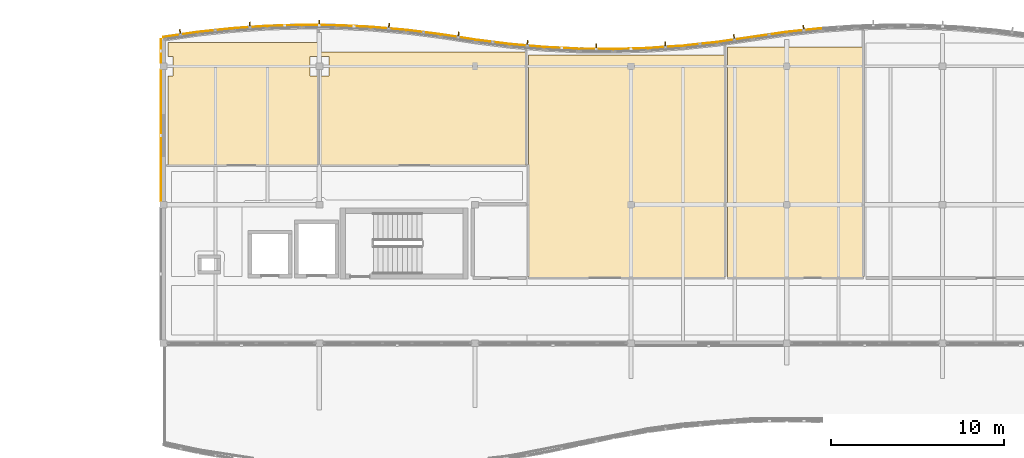
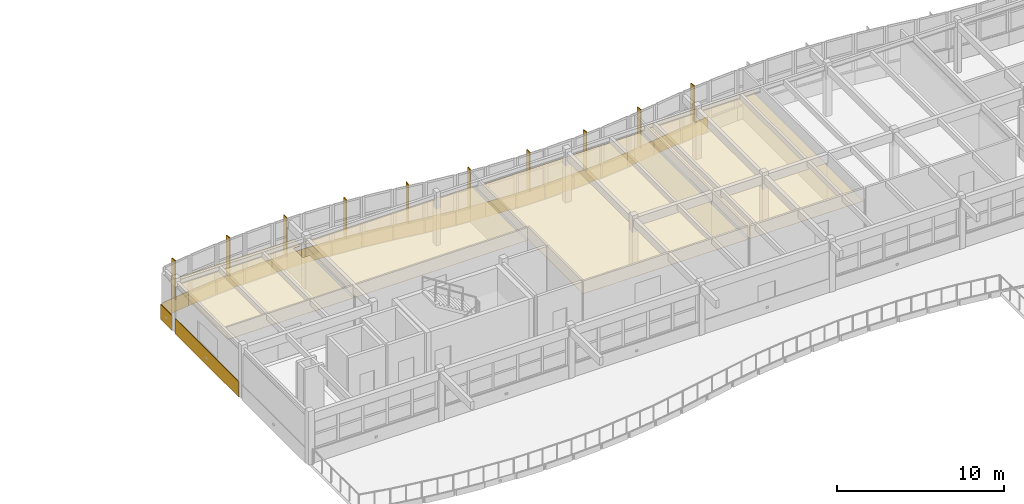
# One storey, part 50 of 52: 25 coverings, 10 shading devices.
"""IFC4 building model written with IfcOpenShell, lengths in metres."""

from ifc_helpers import new_model, si_unit, direction, frame, origin, origin_2d, place, context, subcontext, project, spatial, polyline, rectangle, outline, extrude, material, layer, layer_set, type_object, element, save


model = new_model("IFC4")

# Units and contexts
model_context = context("Model", 3, precision=1e-05, world=origin(), true_north=direction((0.0, 1.0)))
body_context = subcontext(model_context, "Body", "Model", "MODEL_VIEW")
ifc_project = project(units=[si_unit("LENGTHUNIT", "METRE"), si_unit("AREAUNIT", "SQUARE_METRE"), si_unit("VOLUMEUNIT", "CUBIC_METRE"), si_unit("PLANEANGLEUNIT", "RADIAN"), si_unit("MASSUNIT", "GRAM", prefix="KILO")], contexts=[model_context])

# Site, building, storey
site_placement = place(None, origin())
site = spatial("IfcSite", under=ifc_project, at=site_placement, CompositionType="ELEMENT")
building_placement = place(site_placement, origin())
building = spatial("IfcBuilding", under=site, at=building_placement, Name="Tonlespit Floodbar School", CompositionType="ELEMENT")
storey_placement = place(building_placement, frame((0.0, 0.0, 12.300048828125)))
storey = spatial("IfcBuildingStorey", under=building, at=storey_placement, Name="L03", CompositionType="ELEMENT", Elevation=12.300048828125)

# Coverings
ifc_material_1 = material(Name="Acoustic Mineral Tile")
ifc_layer_1 = layer(ifc_material_1, 0.02001953125)
ifc_layer_set_1 = layer_set([ifc_layer_1], Name="Acoustic Mineral Tile")
covering_type_1 = type_object("IfcCoveringType", Name="Ceiling_Acoustic_20", PredefinedType="CEILING", material=ifc_layer_set_1)
covering_1_placement = place(storey_placement, frame((0.0, 0.0, 2.64990234375)))
element("IfcCovering", 1, at=covering_1_placement, inside=storey, type_object=covering_type_1, Name="L03 Middle School Classroom 301 acoustic ceiling", PredefinedType="CEILING", context=body_context, shape_type="SweptSolid", body=[
    extrude(outline(polyline([(44.27001953125, 120.550048828125), (44.27001953125, 121.372802734375), (52.929931640625, 121.372802734375), (52.929931640625, 120.550048828125), (52.449951171875, 120.550048828125), (52.449951171875, 119.449951171875), (52.929931640625, 119.449951171875), (52.929931640625, 114.27001953125), (44.27001953125, 114.27001953125), (44.27001953125, 119.449951171875), (44.550048828125, 119.449951171875), (44.550048828125, 120.550048828125), (44.27001953125, 120.550048828125)])), origin(), (0.0, 0.0, 1.0), 0.02001953125),
])
covering_2_placement = place(storey_placement, frame((0.0, 0.0, 2.64990234375)))
element("IfcCovering", 2, at=covering_2_placement, inside=storey, type_object=covering_type_1, Name="L03 Middle School Classroom 302 acoustic ceiling", PredefinedType="CEILING", context=body_context, shape_type="SweptSolid", body=[
    extrude(outline(polyline([(64.929931640625, 114.27001953125), (53.070068359375, 114.27001953125), (53.070068359375, 119.449951171875), (53.550048828125, 119.449951171875), (53.550048828125, 120.550048828125), (53.070068359375, 120.550048828125), (53.070068359375, 120.835693359375), (64.929931640625, 120.835693359375), (64.929931640625, 114.27001953125)])), origin(), (0.0, 0.0, 1.0), 0.02001953125),
])
covering_3_placement = place(storey_placement, frame((0.0, 0.0, 2.64990234375)))
element("IfcCovering", 3, at=covering_3_placement, inside=storey, type_object=covering_type_1, Name="L03 History and Geography Classroom acoustic ceiling", PredefinedType="CEILING", context=body_context, shape_type="SweptSolid", body=[
    extrude(outline(polyline([(76.429931640625, 107.77001953125), (65.070068359375, 107.77001953125), (65.070068359375, 120.640869140625), (76.429931640625, 120.640869140625), (76.429931640625, 107.77001953125)])), origin(), (0.0, 0.0, 1.0), 0.02001953125),
])
covering_4_placement = place(storey_placement, frame((0.0, 0.0, 2.64990234375)))
element("IfcCovering", 4, at=covering_4_placement, inside=storey, type_object=covering_type_1, Name="L03 Civics Debate Seminar Room acoustic ceiling", PredefinedType="CEILING", context=body_context, shape_type="SweptSolid", body=[
    extrude(outline(polyline([(84.429931640625, 107.77001953125), (76.570068359375, 107.77001953125), (76.570068359375, 121.114013671875), (84.429931640625, 121.114013671875), (84.429931640625, 107.77001953125)])), origin(), (0.0, 0.0, 1.0), 0.02001953125),
])
ifc_material_2 = material(Name="White Architectural Aluminium", Category="aluminium")
ifc_layer_2 = layer(ifc_material_2, 0.050048828125)
ifc_layer_set_2 = layer_set([ifc_layer_2], Name="White Architectural Aluminium")
covering_type_2 = type_object("IfcCoveringType", Name="Cladding_WhiteBand_50", PredefinedType="CLADDING", material=ifc_layer_set_2)
covering_5_placement = place(storey_placement, frame((0.0, 0.0, -0.1201171875)))
element("IfcCovering", 5, at=covering_5_placement, inside=storey, type_object=covering_type_2, Name="L03 curved white spandrel cladding 0214", PredefinedType="CLADDING", context=body_context, shape_type="SweptSolid", body=[
    extrude(outline(polyline([(43.985595703125, 121.64892578125), (45.985595703125, 121.940673828125), (45.978515625, 121.989990234375), (43.978515625, 121.698486328125), (43.985595703125, 121.64892578125)])), origin(), (0.0, 0.0, 1.0), 1.070068359375),
])
covering_6_placement = place(storey_placement, frame((0.0, 0.0, -0.1201171875)))
element("IfcCovering", 6, at=covering_6_placement, inside=storey, type_object=covering_type_2, Name="L03 curved white spandrel cladding 0215", PredefinedType="CLADDING", context=body_context, shape_type="SweptSolid", body=[
    extrude(outline(polyline([(45.989501953125, 121.94091796875), (47.989501953125, 122.15380859375), (47.984130859375, 122.203369140625), (45.984130859375, 121.99072265625), (45.989501953125, 121.94091796875)])), origin(), (0.0, 0.0, 1.0), 1.070068359375),
])
covering_7_placement = place(storey_placement, frame((0.0, 0.0, -0.1201171875)))
element("IfcCovering", 7, at=covering_7_placement, inside=storey, type_object=covering_type_2, Name="L03 curved white spandrel cladding 0216", PredefinedType="CLADDING", context=body_context, shape_type="SweptSolid", body=[
    extrude(outline(polyline([(47.993408203125, 122.154052734375), (49.993408203125, 122.2890625), (49.989990234375, 122.339111328125), (47.989990234375, 122.2041015625), (47.993408203125, 122.154052734375)])), origin(), (0.0, 0.0, 1.0), 1.070068359375),
])
covering_8_placement = place(storey_placement, frame((0.0, 0.0, -0.1201171875)))
element("IfcCovering", 8, at=covering_8_placement, inside=storey, type_object=covering_type_2, Name="L03 curved white spandrel cladding 0217", PredefinedType="CLADDING", context=body_context, shape_type="SweptSolid", body=[
    extrude(outline(polyline([(49.9970703125, 122.289306640625), (51.9970703125, 122.346923828125), (51.99560546875, 122.39697265625), (49.99560546875, 122.33935546875), (49.9970703125, 122.289306640625)])), origin(), (0.0, 0.0, 1.0), 1.070068359375),
])
covering_9_placement = place(storey_placement, frame((0.0, 0.0, -0.1201171875)))
element("IfcCovering", 9, at=covering_9_placement, inside=storey, type_object=covering_type_2, Name="L03 curved white spandrel cladding 0218", PredefinedType="CLADDING", context=body_context, shape_type="SweptSolid", body=[
    extrude(outline(polyline([(52.0009765625, 122.346923828125), (54.0009765625, 122.327880859375), (54.00146484375, 122.377685546875), (52.00146484375, 122.39697265625), (52.0009765625, 122.346923828125)])), origin(), (0.0, 0.0, 1.0), 1.070068359375),
])
covering_10_placement = place(storey_placement, frame((0.0, 0.0, -0.1201171875)))
element("IfcCovering", 10, at=covering_10_placement, inside=storey, type_object=covering_type_2, Name="L03 curved white spandrel cladding 0219", PredefinedType="CLADDING", context=body_context, shape_type="SweptSolid", body=[
    extrude(outline(polyline([(54.0048828125, 122.32763671875), (56.0048828125, 122.2314453125), (56.007080078125, 122.28125), (54.007080078125, 122.377685546875), (54.0048828125, 122.32763671875)])), origin(), (0.0, 0.0, 1.0), 1.070068359375),
])
covering_11_placement = place(storey_placement, frame((0.0, 0.0, -0.1201171875)))
element("IfcCovering", 11, at=covering_11_placement, inside=storey, type_object=covering_type_2, Name="L03 curved white spandrel cladding 0220", PredefinedType="CLADDING", context=body_context, shape_type="SweptSolid", body=[
    extrude(outline(polyline([(56.0087890625, 122.231201171875), (58.0087890625, 122.057373046875), (58.012939453125, 122.107177734375), (56.012939453125, 122.281005859375), (56.0087890625, 122.231201171875)])), origin(), (0.0, 0.0, 1.0), 1.070068359375),
])
covering_12_placement = place(storey_placement, frame((0.0, 0.0, -0.1201171875)))
element("IfcCovering", 12, at=covering_12_placement, inside=storey, type_object=covering_type_2, Name="L03 curved white spandrel cladding 0221", PredefinedType="CLADDING", context=body_context, shape_type="SweptSolid", body=[
    extrude(outline(polyline([(58.012451171875, 122.056884765625), (60.012451171875, 121.804931640625), (60.018798828125, 121.8544921875), (58.018798828125, 122.1064453125), (58.012451171875, 122.056884765625)])), origin(), (0.0, 0.0, 1.0), 1.070068359375),
])
covering_13_placement = place(storey_placement, frame((0.0, 0.0, -0.1201171875)))
element("IfcCovering", 13, at=covering_13_placement, inside=storey, type_object=covering_type_2, Name="L03 curved white spandrel cladding 0222", PredefinedType="CLADDING", context=body_context, shape_type="SweptSolid", body=[
    extrude(outline(polyline([(60.015380859375, 121.804443359375), (62.015380859375, 121.4931640625), (62.023193359375, 121.54248046875), (60.023193359375, 121.85400390625), (60.015380859375, 121.804443359375)])), origin(), (0.0, 0.0, 1.0), 1.070068359375),
])
covering_14_placement = place(storey_placement, frame((0.0, 0.0, -0.1201171875)))
element("IfcCovering", 14, at=covering_14_placement, inside=storey, type_object=covering_type_2, Name="L03 curved white spandrel cladding 0223", PredefinedType="CLADDING", context=body_context, shape_type="SweptSolid", body=[
    extrude(outline(polyline([(62.012451171875, 121.493408203125), (64.012451171875, 121.241455078125), (64.018798828125, 121.291015625), (62.018798828125, 121.543212890625), (62.012451171875, 121.493408203125)])), origin(), (0.0, 0.0, 1.0), 1.070068359375),
])
covering_15_placement = place(storey_placement, frame((0.0, 0.0, -0.1201171875)))
element("IfcCovering", 15, at=covering_15_placement, inside=storey, type_object=covering_type_2, Name="L03 curved white spandrel cladding 0224", PredefinedType="CLADDING", context=body_context, shape_type="SweptSolid", body=[
    extrude(outline(polyline([(64.0087890625, 121.241943359375), (66.0087890625, 121.068115234375), (66.012939453125, 121.117919921875), (64.012939453125, 121.291748046875), (64.0087890625, 121.241943359375)])), origin(), (0.0, 0.0, 1.0), 1.070068359375),
])
covering_16_placement = place(storey_placement, frame((0.0, 0.0, -0.1201171875)))
element("IfcCovering", 16, at=covering_16_placement, inside=storey, type_object=covering_type_2, Name="L03 curved white spandrel cladding 0225", PredefinedType="CLADDING", context=body_context, shape_type="SweptSolid", body=[
    extrude(outline(polyline([(66.0048828125, 121.068359375), (68.0048828125, 120.97216796875), (68.007080078125, 121.02197265625), (66.007080078125, 121.118408203125), (66.0048828125, 121.068359375)])), origin(), (0.0, 0.0, 1.0), 1.070068359375),
])
covering_17_placement = place(storey_placement, frame((0.0, 0.0, -0.1201171875)))
element("IfcCovering", 17, at=covering_17_placement, inside=storey, type_object=covering_type_2, Name="L03 curved white spandrel cladding 0226", PredefinedType="CLADDING", context=body_context, shape_type="SweptSolid", body=[
    extrude(outline(polyline([(68.0009765625, 120.97216796875), (70.0009765625, 120.952880859375), (70.00146484375, 121.0029296875), (68.00146484375, 121.022216796875), (68.0009765625, 120.97216796875)])), origin(), (0.0, 0.0, 1.0), 1.070068359375),
])
covering_18_placement = place(storey_placement, frame((0.0, 0.0, -0.1201171875)))
element("IfcCovering", 18, at=covering_18_placement, inside=storey, type_object=covering_type_2, Name="L03 curved white spandrel cladding 0227", PredefinedType="CLADDING", context=body_context, shape_type="SweptSolid", body=[
    extrude(outline(polyline([(69.9970703125, 120.952880859375), (71.9970703125, 121.0107421875), (71.99560546875, 121.060791015625), (69.99560546875, 121.0029296875), (69.9970703125, 120.952880859375)])), origin(), (0.0, 0.0, 1.0), 1.070068359375),
])
covering_19_placement = place(storey_placement, frame((0.0, 0.0, -0.1201171875)))
element("IfcCovering", 19, at=covering_19_placement, inside=storey, type_object=covering_type_2, Name="L03 curved white spandrel cladding 0228", PredefinedType="CLADDING", context=body_context, shape_type="SweptSolid", body=[
    extrude(outline(polyline([(71.993408203125, 121.010498046875), (73.993408203125, 121.1455078125), (73.989990234375, 121.1953125), (71.989990234375, 121.060302734375), (71.993408203125, 121.010498046875)])), origin(), (0.0, 0.0, 1.0), 1.070068359375),
])
covering_20_placement = place(storey_placement, frame((0.0, 0.0, -0.1201171875)))
element("IfcCovering", 20, at=covering_20_placement, inside=storey, type_object=covering_type_2, Name="L03 curved white spandrel cladding 0229", PredefinedType="CLADDING", context=body_context, shape_type="SweptSolid", body=[
    extrude(outline(polyline([(73.989501953125, 121.14501953125), (75.989501953125, 121.35791015625), (75.984130859375, 121.407470703125), (73.984130859375, 121.19482421875), (73.989501953125, 121.14501953125)])), origin(), (0.0, 0.0, 1.0), 1.070068359375),
])
covering_21_placement = place(storey_placement, frame((0.0, 0.0, -0.1201171875)))
element("IfcCovering", 21, at=covering_21_placement, inside=storey, type_object=covering_type_2, Name="L03 curved white spandrel cladding 0230", PredefinedType="CLADDING", context=body_context, shape_type="SweptSolid", body=[
    extrude(outline(polyline([(75.985595703125, 121.357421875), (77.985595703125, 121.64892578125), (77.978515625, 121.698486328125), (75.978515625, 121.406982421875), (75.985595703125, 121.357421875)])), origin(), (0.0, 0.0, 1.0), 1.070068359375),
])
covering_22_placement = place(storey_placement, frame((0.0, 0.0, -0.1201171875)))
element("IfcCovering", 22, at=covering_22_placement, inside=storey, type_object=covering_type_2, Name="L03 curved white spandrel cladding 0231", PredefinedType="CLADDING", context=body_context, shape_type="SweptSolid", body=[
    extrude(outline(polyline([(77.985595703125, 121.64892578125), (79.985595703125, 121.940673828125), (79.978515625, 121.989990234375), (77.978515625, 121.698486328125), (77.985595703125, 121.64892578125)])), origin(), (0.0, 0.0, 1.0), 1.070068359375),
])
covering_23_placement = place(storey_placement, frame((0.0, 0.0, -0.1201171875)))
element("IfcCovering", 23, at=covering_23_placement, inside=storey, type_object=covering_type_2, Name="L03 curved white spandrel cladding 0232", PredefinedType="CLADDING", context=body_context, shape_type="SweptSolid", body=[
    extrude(outline(polyline([(79.989501953125, 121.94091796875), (81.989501953125, 122.15380859375), (81.984130859375, 122.203369140625), (79.984130859375, 121.99072265625), (79.989501953125, 121.94091796875)])), origin(), (0.0, 0.0, 1.0), 1.070068359375),
])
covering_24_placement = place(storey_placement, frame((0.0, 0.0, -0.1201171875)))
element("IfcCovering", 24, at=covering_24_placement, inside=storey, type_object=covering_type_2, Name="L03 curved white spandrel cladding 0259", PredefinedType="CLADDING", context=body_context, shape_type="SweptSolid", body=[
    extrude(outline(polyline([(43.8798828125, 112.199951171875), (43.8798828125, 119.800048828125), (43.830078125, 119.800048828125), (43.830078125, 112.199951171875), (43.8798828125, 112.199951171875)])), origin(), (0.0, 0.0, 1.0), 1.1201171875),
])
covering_25_placement = place(storey_placement, frame((0.0, 0.0, -0.1201171875)))
element("IfcCovering", 25, at=covering_25_placement, inside=storey, type_object=covering_type_2, Name="L03 curved white spandrel cladding 0260", PredefinedType="CLADDING", context=body_context, shape_type="SweptSolid", body=[
    extrude(outline(polyline([(43.8798828125, 120.199951171875), (43.8798828125, 121.550048828125), (43.830078125, 121.550048828125), (43.830078125, 120.199951171875), (43.8798828125, 120.199951171875)])), origin(), (0.0, 0.0, 1.0), 1.1201171875),
])

# Shading devices
ifc_material_3 = material(Name="Terracotta Anodised Aluminium", Category="masonry")
ifc_layer_3 = layer(ifc_material_3, 0.06005859375)
ifc_layer_set_3 = layer_set([ifc_layer_3], Name="Terracotta Anodised Aluminium")
shading_device_type = type_object("IfcShadingDeviceType", Name="Shading_SolarFin_350", PredefinedType="USERDEFINED", material=ifc_layer_set_3)
for number, where, z_axis, x_axis, name in (
    (26, (44.96240234375, 121.953125, 0.7998046875), (0.0, 0.0, 1.0), (0.989537627347, 0.144275029245, 0.0), "L03 vertical solar fin 056"),
    (27, (48.982421875, 122.381103515625, 0.7998046875), (0.0, 0.0, 1.0), (0.997729639049, 0.067346621018, 0.0), "L03 vertical solar fin 057"),
    (28, (53.00244140625, 122.497314453125, 0.7998046875), (0.0, 0.0, 1.0), (0.999953926969, -0.009599163462, 0.0), "L03 vertical solar fin 058"),
    (29, (57.0224609375, 122.3037109375, 0.7998046875), (0.0, 0.0, 1.0), (0.996245486492, -0.086573267488, 0.0), "L03 vertical solar fin 059"),
    (30, (61.0400390625, 121.806884765625, 0.7998046875), (0.0, 0.0, 1.0), (0.988094768361, -0.153846445322, 0.0), "L03 vertical solar fin 060"),
    (31, (65.0224609375, 121.314453125, 0.7998046875), (0.0, 0.0, 1.0), (0.996245486492, -0.086573267488, 0.0), "L03 vertical solar fin 061"),
    (32, (69.00244140625, 121.12255859375, 0.7998046875), (0.0, 0.0, 1.0), (0.999953926969, -0.009599163462, 0.0), "L03 vertical solar fin 062"),
    (33, (72.982421875, 121.237548828125, 0.7998046875), (0.0, 0.0, 1.0), (0.997729639049, 0.067346621018, 0.0), "L03 vertical solar fin 063"),
    (34, (76.96240234375, 121.66162109375, 0.7998046875), (0.0, 0.0, 1.0), (0.989537627347, 0.144275029245, 0.0), "L03 vertical solar fin 064"),
    (35, (80.972412109375, 122.20654296875, 0.7998046875), (0.0, 0.0, 1.0), (0.99439234017, 0.105753835922, 0.0), "L03 vertical solar fin 065"),
):
    element("IfcShadingDevice", number, at=place(storey_placement, frame(where, z_axis=z_axis, x_axis=x_axis)), inside=storey, type_object=shading_device_type, Name=name, ObjectType="SOLAR FIN", PredefinedType="USERDEFINED", context=body_context, shape_type="SweptSolid", body=[
        extrude(rectangle(XDim=0.06005859375, YDim=0.35009765625, at=origin_2d()), origin(), (0.0, 0.0, 1.0), 2.85009765625),
    ])

save(model, "model.ifc")
